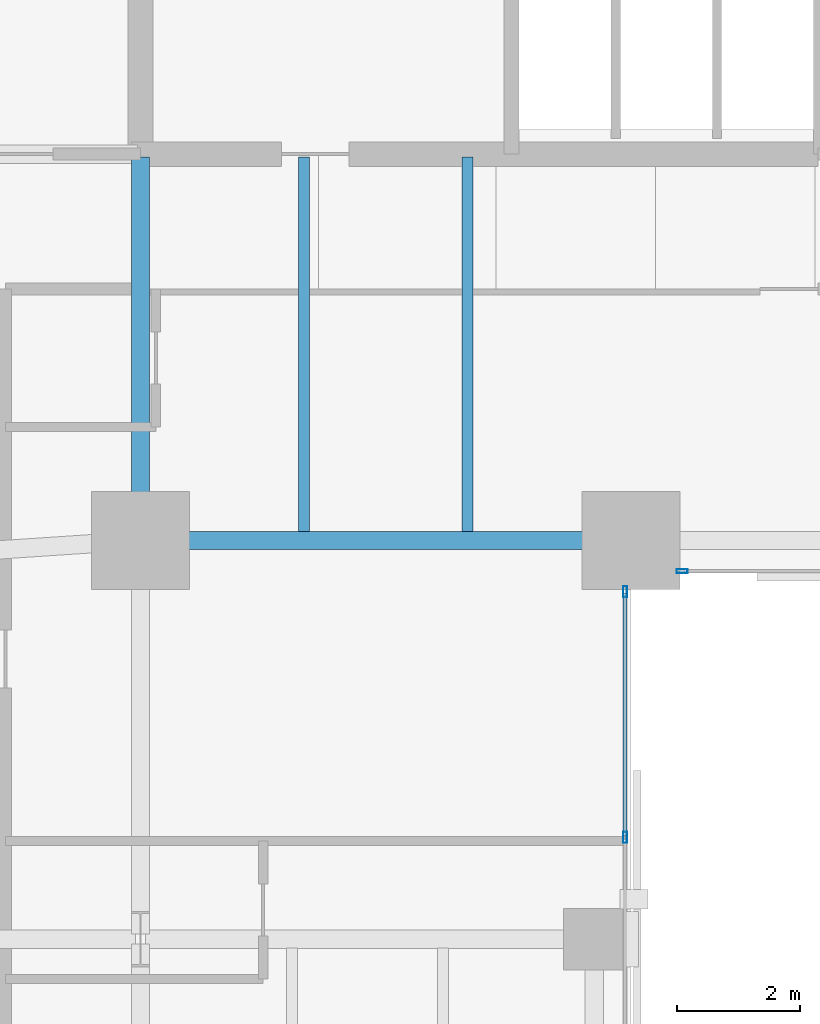
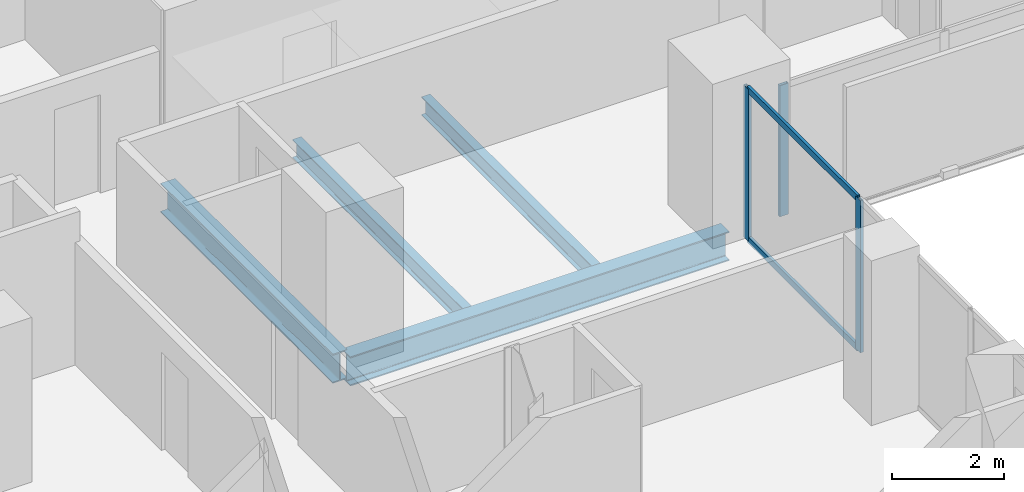
# One storey, part 12 of 31: 5 members, 4 beams, 2 elements without a shape of their own.
"""IFC4 building model written with IfcOpenShell, lengths in metres."""

from ifc_helpers import new_model, si_unit, direction, frame, origin, origin_2d, place, context, subcontext, project, spatial, hollow_rectangle, i_section, extrude, material, layer, layer_set, material_profile, profile_set, type_object, element, aggregate, save


model = new_model("IFC4")

# Units and contexts
model_context = context("Model", 3, precision=1e-05, world=origin(), true_north=direction((0.0, 1.0)))
body_context = subcontext(model_context, "Body", "Model", "MODEL_VIEW")
ifc_project = project(units=[si_unit("LENGTHUNIT", "METRE"), si_unit("AREAUNIT", "SQUARE_METRE"), si_unit("VOLUMEUNIT", "CUBIC_METRE"), si_unit("PLANEANGLEUNIT", "RADIAN"), si_unit("MASSUNIT", "GRAM", prefix="KILO")], contexts=[model_context])

# Site, building, storey
site_placement = place(None, origin())
site = spatial("IfcSite", under=ifc_project, at=site_placement, CompositionType="ELEMENT")
building_placement = place(site_placement, origin())
building = spatial("IfcBuilding", under=site, at=building_placement, Name="Catumbela Crestline Tower", CompositionType="ELEMENT")
storey_placement = place(building_placement, frame((0.0, 0.0, 25.8)))
storey = spatial("IfcBuildingStorey", under=building, at=storey_placement, Name="L05", CompositionType="ELEMENT", Elevation=25.8)

# Beams
ifc_material_1 = material(Name="Structural steel S355J2", Category="steel")
ifc_material_profile_1 = material_profile(ifc_material_1, i_section(OverallWidth=0.3, OverallDepth=0.64, WebThickness=0.0135, FlangeThickness=0.026, FilletRadius=0.027, at=origin_2d()), Name="HEA 650")
ifc_profile_set_1 = profile_set([ifc_material_profile_1], Name="Structural steel S355J2")
beam_type_1 = type_object("IfcBeamType", Name="BG-HEA650", PredefinedType="BEAM", material=ifc_profile_set_1)
beam_1_placement = place(storey_placement, frame((16.08, 24.5, -0.58), z_axis=(1.0, 0.0, 0.0), x_axis=(0.0, 1.0, 0.0)))
element("IfcBeam", 1, at=beam_1_placement, inside=storey, type_object=beam_type_1, Name="L05 Beam BM-L05-S04", PredefinedType="BEAM", context=body_context, shape_type="SweptSolid", body=[
    extrude(i_section(OverallWidth=0.3, OverallDepth=0.64, WebThickness=0.0135, FlangeThickness=0.026, FilletRadius=0.027, at=origin_2d()), origin(), (0.0, 0.0, 1.0), 7.84),
])
beam_2_placement = place(storey_placement, frame((16.0, 24.58, -0.58), z_axis=(0.0, 1.0, 0.0), x_axis=(-1.0, 0.0, 0.0)))
element("IfcBeam", 2, at=beam_2_placement, inside=storey, type_object=beam_type_1, Name="L05 Beam BM-L05-SNS31", PredefinedType="BEAM", context=body_context, shape_type="SweptSolid", body=[
    extrude(i_section(OverallWidth=0.3, OverallDepth=0.64, WebThickness=0.0135, FlangeThickness=0.026, FilletRadius=0.027, at=origin_2d()), origin(), (0.0, 0.0, 1.0), 6.17),
])
ifc_material_profile_2 = material_profile(ifc_material_1, i_section(OverallWidth=0.18, OverallDepth=0.4, WebThickness=0.0086, FlangeThickness=0.0135, FilletRadius=0.021, at=origin_2d()), Name="IPE 400")
ifc_profile_set_2 = profile_set([ifc_material_profile_2], Name="Structural steel S355J2")
beam_type_2 = type_object("IfcBeamType", Name="BJ-IPE400", PredefinedType="JOIST", material=ifc_profile_set_2)
for number, where, z_axis, x_axis, name in (
    (3, (18.667, 24.647, -0.46), (0.0, 1.0, 0.0), (-1.0, 0.0, 0.0), "L05 Joist JS-L05-SP42"),
    (4, (21.333, 24.647, -0.46), (0.0, 1.0, 0.0), (-1.0, 0.0, 0.0), "L05 Joist JS-L05-SP43"),
):
    element("IfcBeam", number, at=place(storey_placement, frame(where, z_axis=z_axis, x_axis=x_axis)), inside=storey, type_object=beam_type_2, Name=name, PredefinedType="JOIST", context=body_context, shape_type="SweptSolid", body=[
        extrude(i_section(OverallWidth=0.18, OverallDepth=0.4, WebThickness=0.0086, FlangeThickness=0.0135, FilletRadius=0.021, at=origin_2d()), origin(), (0.0, 0.0, 1.0), 6.103),
    ])

# Curtain wall, members
ifc_material_2 = material(Name="Aluminium alloy AW-6060-T66", Category="aluminium")
ifc_layer = layer(ifc_material_2, 0.18, Name="Aluminium alloy AW-6060-T66")
ifc_layer_set = layer_set([ifc_layer], Name="Aluminium alloy AW-6060-T66")
curtain_wall_type = type_object("IfcCurtainWallType", Name="CWU-Z1", PredefinedType="USERDEFINED", material=ifc_layer_set)
curtain_wall_1_placement = place(storey_placement, origin())
curtain_wall_1 = element("IfcCurtainWall", 5, at=curtain_wall_1_placement, inside=storey, type_object=curtain_wall_type, Name="L05 Unitised Curtain Wall CW-L05-E2S1", ObjectType="UNITISED", PredefinedType="USERDEFINED")
ifc_material_profile_3 = material_profile(ifc_material_2, hollow_rectangle(XDim=0.065, YDim=0.18, WallThickness=0.004, at=origin_2d()), Name="ALU 180x65x4")
ifc_profile_set_3 = profile_set([ifc_material_profile_3], Name="Aluminium alloy AW-6060-T66")
member_type_1 = type_object("IfcMemberType", Name="MUL-180X65", PredefinedType="MULLION", material=ifc_profile_set_3)
member_1_placement = place(storey_placement, frame((23.9, 19.66, 0.0), z_axis=(0.0, 0.0, 1.0), x_axis=(-1.0, 0.0, 0.0)))
member_1 = element("IfcMember", 6, at=member_1_placement, type_object=member_type_1, Name="CWU-Z1 mullion 5", PredefinedType="MULLION", context=body_context, shape_type="SweptSolid", body=[
    extrude(hollow_rectangle(XDim=0.065, YDim=0.18, WallThickness=0.004, at=origin_2d()), origin(), (0.0, 0.0, 1.0), 3.33),
])
member_2_placement = place(storey_placement, frame((23.9, 23.6675, 0.0), z_axis=(0.0, 0.0, 1.0), x_axis=(-1.0, 0.0, 0.0)))
member_2 = element("IfcMember", 7, at=member_2_placement, type_object=member_type_1, Name="CWU-Z1 mullion 6", PredefinedType="MULLION", context=body_context, shape_type="SweptSolid", body=[
    extrude(hollow_rectangle(XDim=0.065, YDim=0.18, WallThickness=0.004, at=origin_2d()), origin(), (0.0, 0.0, 1.0), 3.33),
])

# Curtain wall, member
curtain_wall_2_placement = place(storey_placement, origin())
curtain_wall_2 = element("IfcCurtainWall", 8, at=curtain_wall_2_placement, inside=storey, type_object=curtain_wall_type, Name="L05 Unitised Curtain Wall CW-L05-E3S1", ObjectType="UNITISED", PredefinedType="USERDEFINED")
member_3_placement = place(storey_placement, frame((24.8325, 24.0, 0.0), z_axis=(0.0, 0.0, 1.0), x_axis=(0.0, 1.0, 0.0)))
member_3 = element("IfcMember", 9, at=member_3_placement, type_object=member_type_1, Name="CWU-Z1 mullion 1", PredefinedType="MULLION", context=body_context, shape_type="SweptSolid", body=[
    extrude(hollow_rectangle(XDim=0.065, YDim=0.18, WallThickness=0.004, at=origin_2d()), origin(), (0.0, 0.0, 1.0), 2.87),
])
aggregate(curtain_wall_2, [member_3])

# Member
ifc_material_profile_4 = material_profile(ifc_material_2, hollow_rectangle(XDim=0.06, YDim=0.14, WallThickness=0.004, at=origin_2d()), Name="ALU 140x60x4")
ifc_profile_set_4 = profile_set([ifc_material_profile_4], Name="Aluminium alloy AW-6060-T66")
member_type_2 = type_object("IfcMemberType", Name="TRN-140X60", PredefinedType="USERDEFINED", material=ifc_profile_set_4)
member_4_placement = place(storey_placement, frame((23.9, 19.6925, 0.03), z_axis=(0.0, 1.0, 0.0), x_axis=(-1.0, 0.0, 0.0)))
member_4 = element("IfcMember", 10, at=member_4_placement, type_object=member_type_2, Name="CWU-Z1 transom 5.1", ObjectType="TRANSOM", PredefinedType="USERDEFINED", context=body_context, shape_type="SweptSolid", body=[
    extrude(hollow_rectangle(XDim=0.06, YDim=0.14, WallThickness=0.004, at=origin_2d()), origin(), (0.0, 0.0, 1.0), 3.9425),
])

member_5_placement = place(storey_placement, frame((23.9, 19.6925, 3.3), z_axis=(0.0, 1.0, 0.0), x_axis=(-1.0, 0.0, 0.0)))
member_5 = element("IfcMember", 11, at=member_5_placement, type_object=member_type_2, Name="CWU-Z1 transom 5.2", ObjectType="TRANSOM", PredefinedType="USERDEFINED", context=body_context, shape_type="SweptSolid", body=[
    extrude(hollow_rectangle(XDim=0.06, YDim=0.14, WallThickness=0.004, at=origin_2d()), origin(), (0.0, 0.0, 1.0), 3.9425),
])

aggregate(curtain_wall_1, [member_1, member_2, member_4, member_5])

save(model, "model.ifc")
